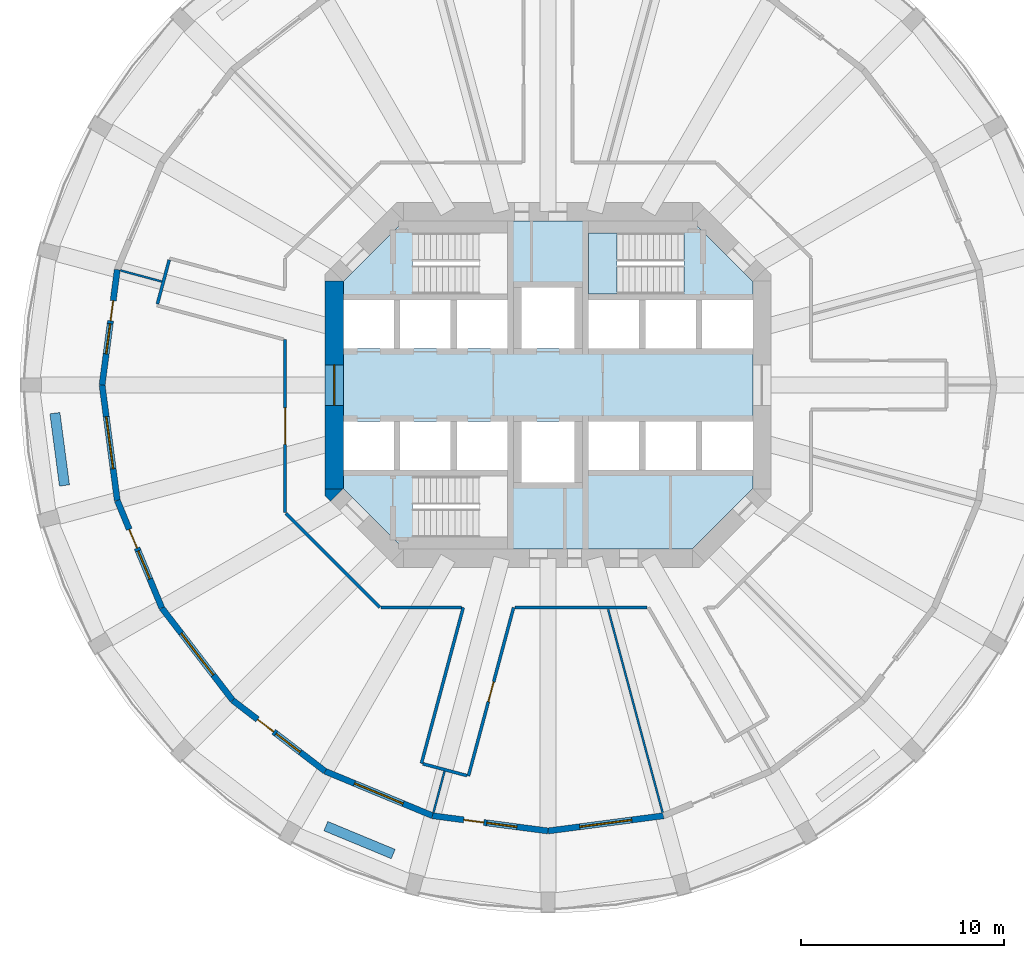
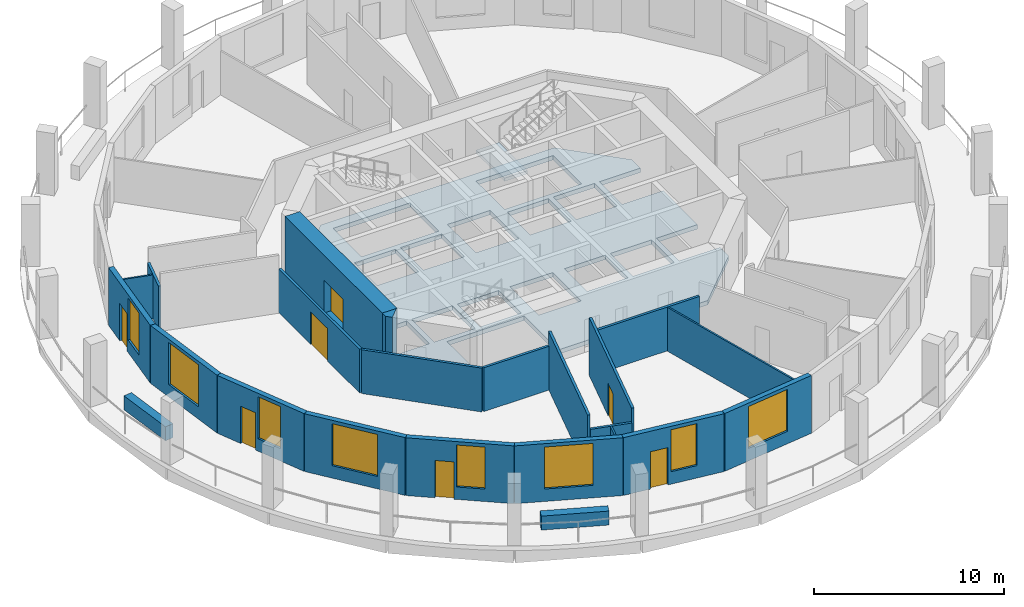
# One storey, part 2 of 8: 23 walls, 8 windows, 7 doors, 2 slabs, 15 openings, 1 element without a shape of its own.
"""IFC4 building model written with IfcOpenShell, lengths in metres."""

from ifc_helpers import new_model, si_unit, direction, frame, frame_2d, origin, place, context, subcontext, project, spatial, polyline, rectangle, outline, extrude, material, layer, layer_set, type_object, element, fill, aggregate, save


model = new_model("IFC4")

# Units and contexts
model_context = context("Model", 3, precision=1e-05, world=origin(), true_north=direction((0.0, 1.0)))
body_context = subcontext(model_context, "Body", "Model", "MODEL_VIEW")
ifc_project = project(units=[si_unit("LENGTHUNIT", "METRE"), si_unit("AREAUNIT", "SQUARE_METRE"), si_unit("VOLUMEUNIT", "CUBIC_METRE"), si_unit("PLANEANGLEUNIT", "RADIAN"), si_unit("MASSUNIT", "GRAM", prefix="KILO")], contexts=[model_context])

# Site, building, storey
site_placement = place(None, origin())
site = spatial("IfcSite", under=ifc_project, at=site_placement, CompositionType="ELEMENT")
building_placement = place(site_placement, origin())
building = spatial("IfcBuilding", under=site, at=building_placement, Name="Torre Triforio", CompositionType="ELEMENT")
storey_placement = place(building_placement, frame((0.0, 0.0, 90.60009765625)))
storey = spatial("IfcBuildingStorey", under=building, at=storey_placement, Name="L19", CompositionType="ELEMENT", Elevation=90.60009765625)

# Slab
ifc_material_1 = material(Name="Concrete C60", Category="concrete")
ifc_layer_1 = layer(ifc_material_1, 0.280029296875)
ifc_layer_set_1 = layer_set([ifc_layer_1], Name="Concrete C60")
slab_type_1 = type_object("IfcSlabType", Name="Core floor slab 280 mm C60 REI 120", PredefinedType="FLOOR", material=ifc_layer_set_1)
slab_1_placement = place(storey_placement, frame((0.0, 0.0, -0.280029296875)))
element("IfcSlab", 1, at=slab_1_placement, inside=storey, type_object=slab_type_1, Name="Core floor slab", PredefinedType="FLOOR", context=body_context, shape_type="SweptSolid", body=[
    extrude(outline(polyline([(10.10009765625, -5.10009765625), (7.10009765625, -8.10009765625), (-7.10009765625, -8.10009765625), (-10.10009765625, -5.10009765625), (-10.10009765625, -4.199951171875), (-7.60009765625, -4.199951171875), (-7.60009765625, -1.800048828125), (-10.10009765625, -1.800048828125), (-10.10009765625, 1.800048828125), (-7.60009765625, 1.800048828125), (-7.60009765625, 4.199951171875), (-10.10009765625, 4.199951171875), (-10.10009765625, 5.10009765625), (-7.10009765625, 8.10009765625), (7.10009765625, 8.10009765625), (10.10009765625, 5.10009765625), (10.10009765625, 4.199951171875), (7.60009765625, 4.199951171875), (7.60009765625, 1.800048828125), (10.10009765625, 1.800048828125), (10.10009765625, -1.800048828125), (7.60009765625, -1.800048828125), (7.60009765625, -4.199951171875), (10.10009765625, -4.199951171875), (10.10009765625, -5.10009765625)]), holes=[polyline([(-2.0, -4.5), (-6.696044921875, -4.5), (-6.696044921875, -7.5), (-2.0, -7.5), (-2.0, -4.5)]), polyline([(-4.800048828125, -1.800048828125), (-7.300048828125, -1.800048828125), (-7.300048828125, -4.199951171875), (-4.800048828125, -4.199951171875), (-4.800048828125, -1.800048828125)]), polyline([(-2.0, -1.800048828125), (-4.5, -1.800048828125), (-4.5, -4.199951171875), (-2.0, -4.199951171875), (-2.0, -1.800048828125)]), polyline([(-4.800048828125, 4.199951171875), (-7.300048828125, 4.199951171875), (-7.300048828125, 1.800048828125), (-4.800048828125, 1.800048828125), (-4.800048828125, 4.199951171875)]), polyline([(-2.0, 4.199951171875), (-4.5, 4.199951171875), (-4.5, 1.800048828125), (-2.0, 1.800048828125), (-2.0, 4.199951171875)]), polyline([(1.300048828125, 4.800048828125), (-1.300048828125, 4.800048828125), (-1.300048828125, 1.800048828125), (1.300048828125, 1.800048828125), (1.300048828125, 4.800048828125)]), polyline([(-2.0, 7.5), (-6.696044921875, 7.5), (-6.696044921875, 4.5), (-2.0, 4.5), (-2.0, 7.5)]), polyline([(1.300048828125, -1.800048828125), (-1.300048828125, -1.800048828125), (-1.300048828125, -4.800048828125), (1.300048828125, -4.800048828125), (1.300048828125, -1.800048828125)]), polyline([(4.5, -1.800048828125), (2.0, -1.800048828125), (2.0, -4.199951171875), (4.5, -4.199951171875), (4.5, -1.800048828125)]), polyline([(7.300048828125, -1.800048828125), (4.800048828125, -1.800048828125), (4.800048828125, -4.199951171875), (7.300048828125, -4.199951171875), (7.300048828125, -1.800048828125)]), polyline([(4.5, 4.199951171875), (2.0, 4.199951171875), (2.0, 1.800048828125), (4.5, 1.800048828125), (4.5, 4.199951171875)]), polyline([(7.300048828125, 4.199951171875), (4.800048828125, 4.199951171875), (4.800048828125, 1.800048828125), (7.300048828125, 1.800048828125), (7.300048828125, 4.199951171875)]), polyline([(6.696044921875, 4.5), (6.696044921875, 7.5), (2.0, 7.5), (2.0, 4.5), (6.696044921875, 4.5)])]), origin(), (0.0, 0.0, 1.0), 0.280029296875),
])

# Stair, slab
ifc_material_2 = material(Name="Concrete C40", Category="concrete")
stair_type = type_object("IfcStairType", Name="STAIR HALF-TURN", PredefinedType="HALF_TURN_STAIR", material=ifc_material_2)
stair_placement = place(storey_placement, origin())
stair = element("IfcStair", 2, at=stair_placement, inside=storey, type_object=stair_type, Name="Exit stair 2", PredefinedType="HALF_TURN_STAIR")
ifc_layer_2 = layer(ifc_material_2, 0.199951171875)
ifc_layer_set_2 = layer_set([ifc_layer_2], Name="Concrete C40")
slab_type_2 = type_object("IfcSlabType", Name="STAIR LANDING 200", PredefinedType="LANDING", material=ifc_layer_set_2)
slab_2_placement = place(storey_placement, frame((0.0, 0.0, 1.7998046875)))
slab_2 = element("IfcSlab", 3, at=slab_2_placement, type_object=slab_type_2, Name="ST2 landing 1", PredefinedType="LANDING", context=body_context, shape_type="SweptSolid", body=[
    extrude(outline(polyline([(3.39990234375, 4.5), (3.39990234375, 7.5), (2.0, 7.5), (2.0, 4.5), (3.39990234375, 4.5)])), origin(), (0.0, 0.0, 1.0), 0.2001953125),
])
aggregate(stair, [slab_2])

# Wall, opening, door
ifc_layer_3 = layer(ifc_material_1, 0.89990234375)
ifc_layer_set_3 = layer_set([ifc_layer_3], Name="Concrete C60")
wall_type_1 = type_object("IfcWallType", Name="Core wall 900 mm C60 EI 120", PredefinedType="SHEAR", material=ifc_layer_set_3)
wall_1_placement = place(storey_placement, frame((-10.550048828125, -5.1298828125, -0.280029296875), z_axis=(0.0, 0.0, 1.0), x_axis=(0.0, 1.0, 0.0)))
wall_1 = element("IfcWall", 4, at=wall_1_placement, inside=storey, type_object=wall_type_1, Name="Core wall", PredefinedType="SHEAR", context=body_context, shape_type="SweptSolid", body=[
    extrude(rectangle(XDim=10.259765625, YDim=0.89990234375, at=frame_2d((5.1298828125, 0.0))), origin(), (0.0, 0.0, 1.0), 4.0),
])
opening_1_placement = place(wall_1_placement, frame((4.1298828125, 0.0, 0.280029296875)))
opening_1 = element("IfcOpeningElement", 5, at=opening_1_placement, cuts=wall_1, Name="Opening W-RING", PredefinedType="OPENING", context=body_context, shape_type="SweptSolid", body=[
    extrude(rectangle(XDim=2.0, YDim=2.10009765625, at=frame_2d((1.0, 1.050048828125))), frame((0.0, 0.4599609375, 0.0), z_axis=(0.0, -1.0, 0.0), x_axis=(1.0, 0.0, 0.0)), (0.0, 0.0, 1.0), 0.919921875),
])
ifc_material_3 = material(Name="Hollow metal fire door leaf")
door_type_1 = type_object("IfcDoorType", Name="Lobby door 2000 x 2100 EI 60", OperationType="DOUBLE_DOOR_SINGLE_SWING", PredefinedType="DOOR", material=ifc_material_3)
door_1_placement = place(opening_1_placement, origin())
door_1 = element("IfcDoor", 6, at=door_1_placement, inside=storey, type_object=door_type_1, Name="Core door W-RING", OperationType="DOUBLE_DOOR_SINGLE_SWING", OverallHeight=2.10009765625, OverallWidth=2.0, PredefinedType="DOOR", context=body_context, shape_type="SweptSolid", body=[
    extrude(rectangle(XDim=2.0, YDim=2.10009765625, at=frame_2d((1.0, 1.050048828125))), frame((0.0, 0.02490234375, 0.0), z_axis=(0.0, -1.0, 0.0), x_axis=(1.0, 0.0, 0.0)), (0.0, 0.0, 1.0), 0.050048828125),
])
fill(opening_1, door_1)

# Walls
wall_2_placement = place(storey_placement, frame((0.0, 0.0, -0.280029296875)))
element("IfcWall", 7, at=wall_2_placement, inside=storey, type_object=wall_type_1, Name="Core wall", PredefinedType="SHEAR", context=body_context, shape_type="SweptSolid", body=[
    extrude(outline(polyline([(-11.0, -5.472900390625), (-11.0, -5.1298828125), (-10.1298828125, -5.1298828125), (-10.736328125, -5.736328125), (-11.0, -5.472900390625)])), origin(), (0.0, 0.0, 1.0), 4.0),
])
ifc_material_4 = material(Name="Plasterboard on metal studs")
ifc_layer_4 = layer(ifc_material_4, 0.14990234375)
ifc_layer_set_4 = layer_set([ifc_layer_4], Name="Plasterboard on metal studs")
wall_type_2 = type_object("IfcWallType", Name="Corridor and tenancy wall 150 mm EI 60", PredefinedType="PARTITIONING", material=ifc_layer_set_4)
wall_3_placement = place(storey_placement, frame((4.8857421875, -10.97509765625, 0.0), z_axis=(0.0, 0.0, 1.0), x_axis=(-1.0, 0.0, 0.0)))
element("IfcWall", 8, at=wall_3_placement, inside=storey, type_object=wall_type_2, Name="Partition 8", PredefinedType="PARTITIONING", context=body_context, shape_type="SweptSolid", body=[
    extrude(rectangle(XDim=6.51171875, YDim=0.14990234375, at=frame_2d((3.255859375, 0.0))), origin(), (0.0, 0.0, 1.0), 2.81982421875),
])

# Wall, opening, door
wall_4_placement = place(storey_placement, frame((-1.698486328125, -10.97509765625, 0.0), z_axis=(0.0, 0.0, 1.0), x_axis=(-0.258804606039, -0.965929695109, 0.0)))
wall_4 = element("IfcWall", 9, at=wall_4_placement, inside=storey, type_object=wall_type_2, Name="Partition 9", PredefinedType="PARTITIONING", context=body_context, shape_type="SweptSolid", body=[
    extrude(rectangle(XDim=8.60791015625, YDim=0.14990234375, at=frame_2d((4.303955078125, 0.0))), origin(), (0.0, 0.0, 1.0), 3.719970703125),
])
opening_2_placement = place(wall_4_placement, frame((3.803955078125, 0.0, 0.0)))
opening_2 = element("IfcOpeningElement", 10, at=opening_2_placement, cuts=wall_4, Name="Opening N6-07", PredefinedType="OPENING", context=body_context, shape_type="SweptSolid", body=[
    extrude(rectangle(XDim=1.0, YDim=2.10009765625, at=frame_2d((0.5, 1.050048828125))), frame((0.0, 0.0849609375, 0.0), z_axis=(0.0, -1.0, 0.0), x_axis=(1.0, 0.0, 0.0)), (0.0, 0.0, 1.0), 0.169921875),
])
ifc_material_5 = material(Name="Timber", Category="wood")
door_type_2 = type_object("IfcDoorType", Name="Door 1000 x 2100 single leaf EI 30", OperationType="NOTDEFINED", PredefinedType="DOOR", material=ifc_material_5)
door_2_placement = place(opening_2_placement, origin())
door_2 = element("IfcDoor", 11, at=door_2_placement, inside=storey, type_object=door_type_2, Name="Door N6-07", OperationType="SINGLE_SWING_RIGHT", OverallHeight=2.10009765625, OverallWidth=1.0, PredefinedType="DOOR", context=body_context, shape_type="SweptSolid", body=[
    extrude(rectangle(XDim=1.0, YDim=2.10009765625, at=frame_2d((0.5, 1.050048828125))), frame((0.0, 0.02490234375, 0.0), z_axis=(0.0, -1.0, 0.0), x_axis=(1.0, 0.0, 0.0)), (0.0, 0.0, 1.0), 0.050048828125),
])
fill(opening_2, door_2)

# Walls
wall_5_placement = place(storey_placement, frame((-3.998779296875, -19.2705078125, 0.0), z_axis=(0.0, 0.0, 1.0), x_axis=(-0.965906393436, 0.258891558609, 0.0)))
element("IfcWall", 12, at=wall_5_placement, inside=storey, type_object=wall_type_2, Name="Partition 10", PredefinedType="PARTITIONING", context=body_context, shape_type="SweptSolid", body=[
    extrude(rectangle(XDim=2.25, YDim=0.14990234375, at=frame_2d((1.125, 0.0))), origin(), (0.0, 0.0, 1.0), 2.81982421875),
])
wall_6_placement = place(storey_placement, frame((-6.24462890625, -18.668701171875, 0.0), z_axis=(0.0, 0.0, 1.0), x_axis=(0.258822393938, 0.965924928965, 0.0)))
element("IfcWall", 13, at=wall_6_placement, inside=storey, type_object=wall_type_2, Name="Partition 11", PredefinedType="PARTITIONING", context=body_context, shape_type="SweptSolid", body=[
    extrude(rectangle(XDim=7.965087890625, YDim=0.14990234375, at=frame_2d((3.982421875, 0.0))), origin(), (0.0, 0.0, 1.0), 3.719970703125),
])
wall_7_placement = place(storey_placement, frame((-4.280517578125, -10.97509765625, 0.0), z_axis=(0.0, 0.0, 1.0), x_axis=(-1.0, 0.0, 0.0)))
element("IfcWall", 14, at=wall_7_placement, inside=storey, type_object=wall_type_2, Name="Partition 12", PredefinedType="PARTITIONING", context=body_context, shape_type="SweptSolid", body=[
    extrude(rectangle(XDim=3.957763671875, YDim=0.14990234375, at=frame_2d((1.97900390625, 0.0))), origin(), (0.0, 0.0, 1.0), 2.81982421875),
])
wall_8_placement = place(storey_placement, frame((-8.291015625, -10.97509765625, 0.0), z_axis=(0.0, 0.0, 1.0), x_axis=(-0.707088206597, 0.707125355289, 0.0)))
element("IfcWall", 15, at=wall_8_placement, inside=storey, type_object=wall_type_2, Name="Partition 13", PredefinedType="PARTITIONING", context=body_context, shape_type="SweptSolid", body=[
    extrude(rectangle(XDim=6.572021484375, YDim=0.14990234375, at=frame_2d((3.2861328125, 0.0))), origin(), (0.0, 0.0, 1.0), 2.81982421875),
])

# Wall, opening, door
wall_9_placement = place(storey_placement, frame((-12.97509765625, -6.291015625, 0.0), z_axis=(0.0, 0.0, 1.0), x_axis=(0.0, 1.0, 0.0)))
wall_9 = element("IfcWall", 16, at=wall_9_placement, inside=storey, type_object=wall_type_2, Name="Partition 14", PredefinedType="PARTITIONING", context=body_context, shape_type="SweptSolid", body=[
    extrude(rectangle(XDim=8.525390625, YDim=0.14990234375, at=frame_2d((4.2626953125, 0.0))), origin(), (0.0, 0.0, 1.0), 2.81982421875),
])
opening_3_placement = place(wall_9_placement, frame((3.362548828125, 0.0, 0.0)))
opening_3 = element("IfcOpeningElement", 17, at=opening_3_placement, cuts=wall_9, Name="Opening N6-06", PredefinedType="OPENING", context=body_context, shape_type="SweptSolid", body=[
    extrude(rectangle(XDim=1.800048828125, YDim=2.10009765625, at=frame_2d((0.89990234375, 1.050048828125))), frame((0.0, 0.0849609375, 0.0), z_axis=(0.0, -1.0, 0.0), x_axis=(1.0, 0.0, 0.0)), (0.0, 0.0, 1.0), 0.169921875),
])
door_type_3 = type_object("IfcDoorType", Name="Door 1800 x 2100 double leaf EI 30", OperationType="DOUBLE_DOOR_SINGLE_SWING", PredefinedType="DOOR", material=ifc_material_5)
door_3_placement = place(opening_3_placement, origin())
door_3 = element("IfcDoor", 18, at=door_3_placement, inside=storey, type_object=door_type_3, Name="Door N6-06", OperationType="DOUBLE_DOOR_SINGLE_SWING", OverallHeight=2.10009765625, OverallWidth=1.800048828125, PredefinedType="DOOR", context=body_context, shape_type="SweptSolid", body=[
    extrude(rectangle(XDim=1.800048828125, YDim=2.10009765625, at=frame_2d((0.89990234375, 1.050048828125))), frame((0.0, 0.02490234375, 0.0), z_axis=(0.0, -1.0, 0.0), x_axis=(1.0, 0.0, 0.0)), (0.0, 0.0, 1.0), 0.050048828125),
])
fill(opening_3, door_3)

# Walls
wall_10_placement = place(storey_placement, frame((-19.2705078125, 3.998779296875, 0.0), z_axis=(0.0, 0.0, 1.0), x_axis=(0.258891558609, 0.965906393436, 0.0)))
element("IfcWall", 19, at=wall_10_placement, inside=storey, type_object=wall_type_2, Name="Partition 16", PredefinedType="PARTITIONING", context=body_context, shape_type="SweptSolid", body=[
    extrude(rectangle(XDim=2.25, YDim=0.14990234375, at=frame_2d((1.125, 0.0))), origin(), (0.0, 0.0, 1.0), 2.81982421875),
])
ifc_layer_5 = layer(ifc_material_4, 0.10009765625)
ifc_layer_set_5 = layer_set([ifc_layer_5], Name="Plasterboard on metal studs")
wall_type_3 = type_object("IfcWallType", Name="Partition 100 mm board on metal studs", PredefinedType="PARTITIONING", material=ifc_layer_set_5)
for number, where, z_axis, x_axis, name in (
    (20, (-19.051513671875, 5.10498046875, 0.0), (0.0, 0.0, 1.0), (-0.965927422152, 0.258813089189, 0.0), "Partition 35"),
    (21, (-5.10498046875, -19.051513671875, 0.0), (0.0, 0.0, 1.0), (-0.258813089189, -0.965927422152, 0.0), "Partition 36"),
):
    element("IfcWall", number, at=place(storey_placement, frame(where, z_axis=z_axis, x_axis=x_axis)), inside=storey, type_object=wall_type_3, Name=name, PredefinedType="PARTITIONING", context=body_context, shape_type="SweptSolid", body=[
        extrude(rectangle(XDim=2.113037109375, YDim=0.10009765625, at=frame_2d((1.056640625, 0.0))), origin(), (0.0, 0.0, 1.0), 2.81982421875),
    ])
wall_11_placement = place(storey_placement, frame((2.964599609375, -11.064208984375, 0.0), z_axis=(0.0, 0.0, 1.0), x_axis=(0.258834819477, -0.96592159942, 0.0)))
element("IfcWall", 22, at=wall_11_placement, inside=storey, type_object=wall_type_3, Name="Partition 37", PredefinedType="PARTITIONING", context=body_context, shape_type="SweptSolid", body=[
    extrude(rectangle(XDim=10.382080078125, YDim=0.10009765625, at=frame_2d((5.19091796875, 0.0))), origin(), (0.0, 0.0, 1.0), 2.81982421875),
])
ifc_material_6 = material(Name="Limestone cladding", Category="masonry")
ifc_layer_6 = layer(ifc_material_6, 0.10009765625)
ifc_layer_7 = layer(ifc_material_2, 0.39990234375)
ifc_layer_set_6 = layer_set([ifc_layer_6, ifc_layer_7], Name="Limestone cladding / Concrete C40")
wall_type_4 = type_object("IfcWallType", Name="Planter wall 500", PredefinedType="PARAPET", material=ifc_layer_set_6)
for number, where, z_axis, x_axis, name in (
    (23, (-24.3271484375, -1.38720703125, 0.0), (0.0, 0.0, 1.0), (0.130551000099, -0.991441595039, 0.0), "Planter L19 bay 13"),
    (24, (-10.962158203125, -21.761474609375, 0.0), (0.0, 0.0, 1.0), (0.923875488976, -0.382693194178, 0.0), "Planter L19 bay 17"),
):
    element("IfcWall", number, at=place(storey_placement, frame(where, z_axis=z_axis, x_axis=x_axis)), inside=storey, type_object=wall_type_4, Name=name, PredefinedType="PARAPET", context=body_context, shape_type="SweptSolid", body=[
        extrude(rectangle(XDim=3.599853515625, YDim=0.5, at=frame_2d((1.7998046875, 0.0))), origin(), (0.0, 0.0, 1.0), 0.89990234375),
    ])

# Wall, openings, door, window
ifc_layer_8 = layer(ifc_material_6, 0.10009765625)
ifc_layer_9 = layer(ifc_material_2, 0.199951171875)
ifc_layer_set_7 = layer_set([ifc_layer_8, ifc_layer_9], Name="Limestone cladding / Concrete C40")
wall_type_5 = type_object("IfcWallType", Name="Stone-faced composite wall 300", PredefinedType="STANDARD", material=ifc_layer_set_7)
wall_12_placement = place(storey_placement, frame((-21.25048828125, 5.694091796875, 0.0), z_axis=(0.0, 0.0, 1.0), x_axis=(-0.130503995834, -0.991447783331, 0.0)))
wall_12 = element("IfcWall", 25, at=wall_12_placement, inside=storey, type_object=wall_type_5, Name="External wall L19 bay 12", PredefinedType="STANDARD", context=body_context, shape_type="SweptSolid", body=[
    extrude(rectangle(XDim=5.7431640625, YDim=0.300048828125, at=frame_2d((2.87158203125, 0.0))), origin(), (0.0, 0.0, 1.0), 3.719970703125),
])
opening_4_placement = place(wall_12_placement, frame((1.546630859375, 0.0, 0.0)))
opening_4 = element("IfcOpeningElement", 26, at=opening_4_placement, cuts=wall_12, Name="Opening N6-D12", PredefinedType="OPENING", context=body_context, shape_type="SweptSolid", body=[
    extrude(rectangle(XDim=1.0, YDim=2.39990234375, at=frame_2d((0.5, 1.199951171875))), frame((0.0, 0.159912109375, 0.0), z_axis=(0.0, -1.0, 0.0), x_axis=(1.0, 0.0, 0.0)), (0.0, 0.0, 1.0), 0.320068359375),
])
opening_5_placement = place(wall_12_placement, frame((2.696533203125, 0.0, 0.800048828125)))
opening_5 = element("IfcOpeningElement", 27, at=opening_5_placement, cuts=wall_12, Name="Opening N6-W12A", PredefinedType="OPENING", context=body_context, shape_type="SweptSolid", body=[
    extrude(rectangle(XDim=1.5, YDim=2.699951171875, at=frame_2d((0.75, 1.35009765625))), frame((0.0, 0.159912109375, 0.0), z_axis=(0.0, -1.0, 0.0), x_axis=(1.0, 0.0, 0.0)), (0.0, 0.0, 1.0), 0.320068359375),
])
ifc_material_7 = material(Name="Aluminium frame with clear double glazing", Category="aluminium")
door_type_4 = type_object("IfcDoorType", Name="Loggia door 1000 x 2400", OperationType="NOTDEFINED", PredefinedType="DOOR", material=ifc_material_7)
door_4_placement = place(opening_4_placement, origin())
door_4 = element("IfcDoor", 28, at=door_4_placement, inside=storey, type_object=door_type_4, Name="Loggia door L19 bay 12", OperationType="SINGLE_SWING_LEFT", OverallHeight=2.39990234375, OverallWidth=1.0, PredefinedType="DOOR", context=body_context, shape_type="SweptSolid", body=[
    extrude(rectangle(XDim=1.0, YDim=2.39990234375, at=frame_2d((0.5, 1.199951171875))), frame((0.0, 0.02490234375, 0.0), z_axis=(0.0, -1.0, 0.0), x_axis=(1.0, 0.0, 0.0)), (0.0, 0.0, 1.0), 0.050048828125),
])
fill(opening_4, door_4)
window_type_1 = type_object("IfcWindowType", Name="Side window 1500 x 2700", PartitioningType="SINGLE_PANEL", PredefinedType="WINDOW", material=ifc_material_7)
window_1_placement = place(opening_5_placement, origin())
window_1 = element("IfcWindow", 29, at=window_1_placement, inside=storey, type_object=window_type_1, Name="Side window EWN12 L19 bay 12", OverallHeight=2.699951171875, OverallWidth=1.5, PartitioningType="SINGLE_PANEL", PredefinedType="WINDOW", context=body_context, shape_type="SweptSolid", body=[
    extrude(rectangle(XDim=1.5, YDim=2.699951171875, at=frame_2d((0.75, 1.35009765625))), frame((0.0, 0.030029296875, 0.0), z_axis=(0.0, -1.0, 0.0), x_axis=(1.0, 0.0, 0.0)), (0.0, 0.0, 1.0), 0.06005859375),
])
fill(opening_5, window_1)

# Wall, opening, window
wall_13_placement = place(storey_placement, frame((-22.0, 0.0, 0.0), z_axis=(0.0, 0.0, 1.0), x_axis=(0.130503995834, -0.991447783331, 0.0)))
wall_13 = element("IfcWall", 30, at=wall_13_placement, inside=storey, type_object=wall_type_5, Name="External wall L19 bay 13", PredefinedType="STANDARD", context=body_context, shape_type="SweptSolid", body=[
    extrude(rectangle(XDim=5.7431640625, YDim=0.300048828125, at=frame_2d((2.87158203125, 0.0))), origin(), (0.0, 0.0, 1.0), 3.719970703125),
])
opening_6_placement = place(wall_13_placement, frame((1.571533203125, 0.0, 0.800048828125)))
opening_6 = element("IfcOpeningElement", 31, at=opening_6_placement, cuts=wall_13, Name="Opening N6-W13", PredefinedType="OPENING", context=body_context, shape_type="SweptSolid", body=[
    extrude(rectangle(XDim=2.60009765625, YDim=2.699951171875, at=frame_2d((1.300048828125, 1.35009765625))), frame((0.0, 0.159912109375, 0.0), z_axis=(0.0, -1.0, 0.0), x_axis=(1.0, 0.0, 0.0)), (0.0, 0.0, 1.0), 0.320068359375),
])
window_type_2 = type_object("IfcWindowType", Name="Punched window 2600 x 2700", PartitioningType="DOUBLE_PANEL_VERTICAL", PredefinedType="WINDOW", material=ifc_material_7)
window_2_placement = place(opening_6_placement, origin())
window_2 = element("IfcWindow", 32, at=window_2_placement, inside=storey, type_object=window_type_2, Name="Window EWN2 L19 bay 13", OverallHeight=2.699951171875, OverallWidth=2.60009765625, PartitioningType="SINGLE_PANEL", PredefinedType="WINDOW", context=body_context, shape_type="SweptSolid", body=[
    extrude(rectangle(XDim=2.60009765625, YDim=2.699951171875, at=frame_2d((1.300048828125, 1.35009765625))), frame((0.0, 0.030029296875, 0.0), z_axis=(0.0, -1.0, 0.0), x_axis=(1.0, 0.0, 0.0)), (0.0, 0.0, 1.0), 0.06005859375),
])
fill(opening_6, window_2)

# Wall, openings, door, window
wall_14_placement = place(storey_placement, frame((-21.25048828125, -5.694091796875, 0.0), z_axis=(0.0, 0.0, 1.0), x_axis=(0.382715966503, -0.923866055759, 0.0)))
wall_14 = element("IfcWall", 33, at=wall_14_placement, inside=storey, type_object=wall_type_5, Name="External wall L19 bay 14", PredefinedType="STANDARD", context=body_context, shape_type="SweptSolid", body=[
    extrude(rectangle(XDim=5.7431640625, YDim=0.300048828125, at=frame_2d((2.87158203125, 0.0))), origin(), (0.0, 0.0, 1.0), 3.719970703125),
])
opening_7_placement = place(wall_14_placement, frame((1.546630859375, 0.0, 0.0)))
opening_7 = element("IfcOpeningElement", 34, at=opening_7_placement, cuts=wall_14, Name="Opening N6-D14", PredefinedType="OPENING", context=body_context, shape_type="SweptSolid", body=[
    extrude(rectangle(XDim=1.0, YDim=2.39990234375, at=frame_2d((0.5, 1.199951171875))), frame((0.0, 0.159912109375, 0.0), z_axis=(0.0, -1.0, 0.0), x_axis=(1.0, 0.0, 0.0)), (0.0, 0.0, 1.0), 0.320068359375),
])
opening_8_placement = place(wall_14_placement, frame((2.696533203125, 0.0, 0.800048828125)))
opening_8 = element("IfcOpeningElement", 35, at=opening_8_placement, cuts=wall_14, Name="Opening N6-W14A", PredefinedType="OPENING", context=body_context, shape_type="SweptSolid", body=[
    extrude(rectangle(XDim=1.5, YDim=2.699951171875, at=frame_2d((0.75, 1.35009765625))), frame((0.0, 0.159912109375, 0.0), z_axis=(0.0, -1.0, 0.0), x_axis=(1.0, 0.0, 0.0)), (0.0, 0.0, 1.0), 0.320068359375),
])
door_5_placement = place(opening_7_placement, origin())
door_5 = element("IfcDoor", 36, at=door_5_placement, inside=storey, type_object=door_type_4, Name="Loggia door L19 bay 14", OperationType="SINGLE_SWING_LEFT", OverallHeight=2.39990234375, OverallWidth=1.0, PredefinedType="DOOR", context=body_context, shape_type="SweptSolid", body=[
    extrude(rectangle(XDim=1.0, YDim=2.39990234375, at=frame_2d((0.5, 1.199951171875))), frame((0.0, 0.02490234375, 0.0), z_axis=(0.0, -1.0, 0.0), x_axis=(1.0, 0.0, 0.0)), (0.0, 0.0, 1.0), 0.050048828125),
])
fill(opening_7, door_5)
window_3_placement = place(opening_8_placement, origin())
window_3 = element("IfcWindow", 37, at=window_3_placement, inside=storey, type_object=window_type_1, Name="Side window EWN12 L19 bay 14", OverallHeight=2.699951171875, OverallWidth=1.5, PartitioningType="SINGLE_PANEL", PredefinedType="WINDOW", context=body_context, shape_type="SweptSolid", body=[
    extrude(rectangle(XDim=1.5, YDim=2.699951171875, at=frame_2d((0.75, 1.35009765625))), frame((0.0, 0.030029296875, 0.0), z_axis=(0.0, -1.0, 0.0), x_axis=(1.0, 0.0, 0.0)), (0.0, 0.0, 1.0), 0.06005859375),
])
fill(opening_8, window_3)

# Wall, opening, window
wall_15_placement = place(storey_placement, frame((-19.052490234375, -11.0, 0.0), z_axis=(0.0, 0.0, 1.0), x_axis=(0.608744744291, -0.793366142647, 0.0)))
wall_15 = element("IfcWall", 38, at=wall_15_placement, inside=storey, type_object=wall_type_5, Name="External wall L19 bay 15", PredefinedType="STANDARD", context=body_context, shape_type="SweptSolid", body=[
    extrude(rectangle(XDim=5.7431640625, YDim=0.300048828125, at=frame_2d((2.87158203125, 0.0))), origin(), (0.0, 0.0, 1.0), 3.719970703125),
])
opening_9_placement = place(wall_15_placement, frame((1.571533203125, 0.0, 0.800048828125)))
opening_9 = element("IfcOpeningElement", 39, at=opening_9_placement, cuts=wall_15, Name="Opening N6-W15", PredefinedType="OPENING", context=body_context, shape_type="SweptSolid", body=[
    extrude(rectangle(XDim=2.60009765625, YDim=2.699951171875, at=frame_2d((1.300048828125, 1.35009765625))), frame((0.0, 0.159912109375, 0.0), z_axis=(0.0, -1.0, 0.0), x_axis=(1.0, 0.0, 0.0)), (0.0, 0.0, 1.0), 0.320068359375),
])
window_4_placement = place(opening_9_placement, origin())
window_4 = element("IfcWindow", 40, at=window_4_placement, inside=storey, type_object=window_type_2, Name="Window EWN2 L19 bay 15", OverallHeight=2.699951171875, OverallWidth=2.60009765625, PartitioningType="SINGLE_PANEL", PredefinedType="WINDOW", context=body_context, shape_type="SweptSolid", body=[
    extrude(rectangle(XDim=2.60009765625, YDim=2.699951171875, at=frame_2d((1.300048828125, 1.35009765625))), frame((0.0, 0.030029296875, 0.0), z_axis=(0.0, -1.0, 0.0), x_axis=(1.0, 0.0, 0.0)), (0.0, 0.0, 1.0), 0.06005859375),
])
fill(opening_9, window_4)

# Wall, openings, door, window
wall_16_placement = place(storey_placement, frame((-15.556396484375, -15.556396484375, 0.0), z_axis=(0.0, 0.0, 1.0), x_axis=(0.793366142647, -0.608744744291, 0.0)))
wall_16 = element("IfcWall", 41, at=wall_16_placement, inside=storey, type_object=wall_type_5, Name="External wall L19 bay 16", PredefinedType="STANDARD", context=body_context, shape_type="SweptSolid", body=[
    extrude(rectangle(XDim=5.7431640625, YDim=0.300048828125, at=frame_2d((2.87158203125, 0.0))), origin(), (0.0, 0.0, 1.0), 3.719970703125),
])
opening_10_placement = place(wall_16_placement, frame((1.546630859375, 0.0, 0.0)))
opening_10 = element("IfcOpeningElement", 42, at=opening_10_placement, cuts=wall_16, Name="Opening N6-D16", PredefinedType="OPENING", context=body_context, shape_type="SweptSolid", body=[
    extrude(rectangle(XDim=1.0, YDim=2.39990234375, at=frame_2d((0.5, 1.199951171875))), frame((0.0, 0.159912109375, 0.0), z_axis=(0.0, -1.0, 0.0), x_axis=(1.0, 0.0, 0.0)), (0.0, 0.0, 1.0), 0.320068359375),
])
opening_11_placement = place(wall_16_placement, frame((2.696533203125, 0.0, 0.800048828125)))
opening_11 = element("IfcOpeningElement", 43, at=opening_11_placement, cuts=wall_16, Name="Opening N6-W16A", PredefinedType="OPENING", context=body_context, shape_type="SweptSolid", body=[
    extrude(rectangle(XDim=1.5, YDim=2.699951171875, at=frame_2d((0.75, 1.35009765625))), frame((0.0, 0.159912109375, 0.0), z_axis=(0.0, -1.0, 0.0), x_axis=(1.0, 0.0, 0.0)), (0.0, 0.0, 1.0), 0.320068359375),
])
door_6_placement = place(opening_10_placement, origin())
door_6 = element("IfcDoor", 44, at=door_6_placement, inside=storey, type_object=door_type_4, Name="Loggia door L19 bay 16", OperationType="SINGLE_SWING_LEFT", OverallHeight=2.39990234375, OverallWidth=1.0, PredefinedType="DOOR", context=body_context, shape_type="SweptSolid", body=[
    extrude(rectangle(XDim=1.0, YDim=2.39990234375, at=frame_2d((0.5, 1.199951171875))), frame((0.0, 0.02490234375, 0.0), z_axis=(0.0, -1.0, 0.0), x_axis=(1.0, 0.0, 0.0)), (0.0, 0.0, 1.0), 0.050048828125),
])
fill(opening_10, door_6)
window_5_placement = place(opening_11_placement, origin())
window_5 = element("IfcWindow", 45, at=window_5_placement, inside=storey, type_object=window_type_1, Name="Side window EWN12 L19 bay 16", OverallHeight=2.699951171875, OverallWidth=1.5, PartitioningType="SINGLE_PANEL", PredefinedType="WINDOW", context=body_context, shape_type="SweptSolid", body=[
    extrude(rectangle(XDim=1.5, YDim=2.699951171875, at=frame_2d((0.75, 1.35009765625))), frame((0.0, 0.030029296875, 0.0), z_axis=(0.0, -1.0, 0.0), x_axis=(1.0, 0.0, 0.0)), (0.0, 0.0, 1.0), 0.06005859375),
])
fill(opening_11, window_5)

# Wall, opening, window
wall_17_placement = place(storey_placement, frame((-11.0, -19.052490234375, 0.0), z_axis=(0.0, 0.0, 1.0), x_axis=(0.923866055759, -0.382715966503, 0.0)))
wall_17 = element("IfcWall", 46, at=wall_17_placement, inside=storey, type_object=wall_type_5, Name="External wall L19 bay 17", PredefinedType="STANDARD", context=body_context, shape_type="SweptSolid", body=[
    extrude(rectangle(XDim=5.7431640625, YDim=0.300048828125, at=frame_2d((2.87158203125, 0.0))), origin(), (0.0, 0.0, 1.0), 3.719970703125),
])
opening_12_placement = place(wall_17_placement, frame((1.571533203125, 0.0, 0.800048828125)))
opening_12 = element("IfcOpeningElement", 47, at=opening_12_placement, cuts=wall_17, Name="Opening N6-W17", PredefinedType="OPENING", context=body_context, shape_type="SweptSolid", body=[
    extrude(rectangle(XDim=2.60009765625, YDim=2.699951171875, at=frame_2d((1.300048828125, 1.35009765625))), frame((0.0, 0.159912109375, 0.0), z_axis=(0.0, -1.0, 0.0), x_axis=(1.0, 0.0, 0.0)), (0.0, 0.0, 1.0), 0.320068359375),
])
window_6_placement = place(opening_12_placement, origin())
window_6 = element("IfcWindow", 48, at=window_6_placement, inside=storey, type_object=window_type_2, Name="Window EWN2 L19 bay 17", OverallHeight=2.699951171875, OverallWidth=2.60009765625, PartitioningType="SINGLE_PANEL", PredefinedType="WINDOW", context=body_context, shape_type="SweptSolid", body=[
    extrude(rectangle(XDim=2.60009765625, YDim=2.699951171875, at=frame_2d((1.300048828125, 1.35009765625))), frame((0.0, 0.030029296875, 0.0), z_axis=(0.0, -1.0, 0.0), x_axis=(1.0, 0.0, 0.0)), (0.0, 0.0, 1.0), 0.06005859375),
])
fill(opening_12, window_6)

# Wall, openings, door, window
wall_18_placement = place(storey_placement, frame((-5.694091796875, -21.25048828125, 0.0), z_axis=(0.0, 0.0, 1.0), x_axis=(0.991447783331, -0.130503995834, 0.0)))
wall_18 = element("IfcWall", 49, at=wall_18_placement, inside=storey, type_object=wall_type_5, Name="External wall L19 bay 18", PredefinedType="STANDARD", context=body_context, shape_type="SweptSolid", body=[
    extrude(rectangle(XDim=5.7431640625, YDim=0.300048828125, at=frame_2d((2.87158203125, 0.0))), origin(), (0.0, 0.0, 1.0), 3.719970703125),
])
opening_13_placement = place(wall_18_placement, frame((1.546630859375, 0.0, 0.0)))
opening_13 = element("IfcOpeningElement", 50, at=opening_13_placement, cuts=wall_18, Name="Opening N6-D18", PredefinedType="OPENING", context=body_context, shape_type="SweptSolid", body=[
    extrude(rectangle(XDim=1.0, YDim=2.39990234375, at=frame_2d((0.5, 1.199951171875))), frame((0.0, 0.159912109375, 0.0), z_axis=(0.0, -1.0, 0.0), x_axis=(1.0, 0.0, 0.0)), (0.0, 0.0, 1.0), 0.320068359375),
])
opening_14_placement = place(wall_18_placement, frame((2.696533203125, 0.0, 0.800048828125)))
opening_14 = element("IfcOpeningElement", 51, at=opening_14_placement, cuts=wall_18, Name="Opening N6-W18A", PredefinedType="OPENING", context=body_context, shape_type="SweptSolid", body=[
    extrude(rectangle(XDim=1.5, YDim=2.699951171875, at=frame_2d((0.75, 1.35009765625))), frame((0.0, 0.159912109375, 0.0), z_axis=(0.0, -1.0, 0.0), x_axis=(1.0, 0.0, 0.0)), (0.0, 0.0, 1.0), 0.320068359375),
])
door_7_placement = place(opening_13_placement, origin())
door_7 = element("IfcDoor", 52, at=door_7_placement, inside=storey, type_object=door_type_4, Name="Loggia door L19 bay 18", OperationType="SINGLE_SWING_LEFT", OverallHeight=2.39990234375, OverallWidth=1.0, PredefinedType="DOOR", context=body_context, shape_type="SweptSolid", body=[
    extrude(rectangle(XDim=1.0, YDim=2.39990234375, at=frame_2d((0.5, 1.199951171875))), frame((0.0, 0.02490234375, 0.0), z_axis=(0.0, -1.0, 0.0), x_axis=(1.0, 0.0, 0.0)), (0.0, 0.0, 1.0), 0.050048828125),
])
fill(opening_13, door_7)
window_7_placement = place(opening_14_placement, origin())
window_7 = element("IfcWindow", 53, at=window_7_placement, inside=storey, type_object=window_type_1, Name="Side window EWN12 L19 bay 18", OverallHeight=2.699951171875, OverallWidth=1.5, PartitioningType="SINGLE_PANEL", PredefinedType="WINDOW", context=body_context, shape_type="SweptSolid", body=[
    extrude(rectangle(XDim=1.5, YDim=2.699951171875, at=frame_2d((0.75, 1.35009765625))), frame((0.0, 0.030029296875, 0.0), z_axis=(0.0, -1.0, 0.0), x_axis=(1.0, 0.0, 0.0)), (0.0, 0.0, 1.0), 0.06005859375),
])
fill(opening_14, window_7)

# Wall, opening, window
wall_19_placement = place(storey_placement, frame((0.0, -22.0, 0.0), z_axis=(0.0, 0.0, 1.0), x_axis=(0.991447783331, 0.130503995834, 0.0)))
wall_19 = element("IfcWall", 54, at=wall_19_placement, inside=storey, type_object=wall_type_5, Name="External wall L19 bay 19", PredefinedType="STANDARD", context=body_context, shape_type="SweptSolid", body=[
    extrude(rectangle(XDim=5.7431640625, YDim=0.300048828125, at=frame_2d((2.87158203125, 0.0))), origin(), (0.0, 0.0, 1.0), 3.719970703125),
])
opening_15_placement = place(wall_19_placement, frame((1.571533203125, 0.0, 0.800048828125)))
opening_15 = element("IfcOpeningElement", 55, at=opening_15_placement, cuts=wall_19, Name="Opening N6-W19", PredefinedType="OPENING", context=body_context, shape_type="SweptSolid", body=[
    extrude(rectangle(XDim=2.60009765625, YDim=2.699951171875, at=frame_2d((1.300048828125, 1.35009765625))), frame((0.0, 0.159912109375, 0.0), z_axis=(0.0, -1.0, 0.0), x_axis=(1.0, 0.0, 0.0)), (0.0, 0.0, 1.0), 0.320068359375),
])
window_8_placement = place(opening_15_placement, origin())
window_8 = element("IfcWindow", 56, at=window_8_placement, inside=storey, type_object=window_type_2, Name="Window EWN2 L19 bay 19", OverallHeight=2.699951171875, OverallWidth=2.60009765625, PartitioningType="SINGLE_PANEL", PredefinedType="WINDOW", context=body_context, shape_type="SweptSolid", body=[
    extrude(rectangle(XDim=2.60009765625, YDim=2.699951171875, at=frame_2d((1.300048828125, 1.35009765625))), frame((0.0, 0.030029296875, 0.0), z_axis=(0.0, -1.0, 0.0), x_axis=(1.0, 0.0, 0.0)), (0.0, 0.0, 1.0), 0.06005859375),
])
fill(opening_15, window_8)

save(model, "model.ifc")
